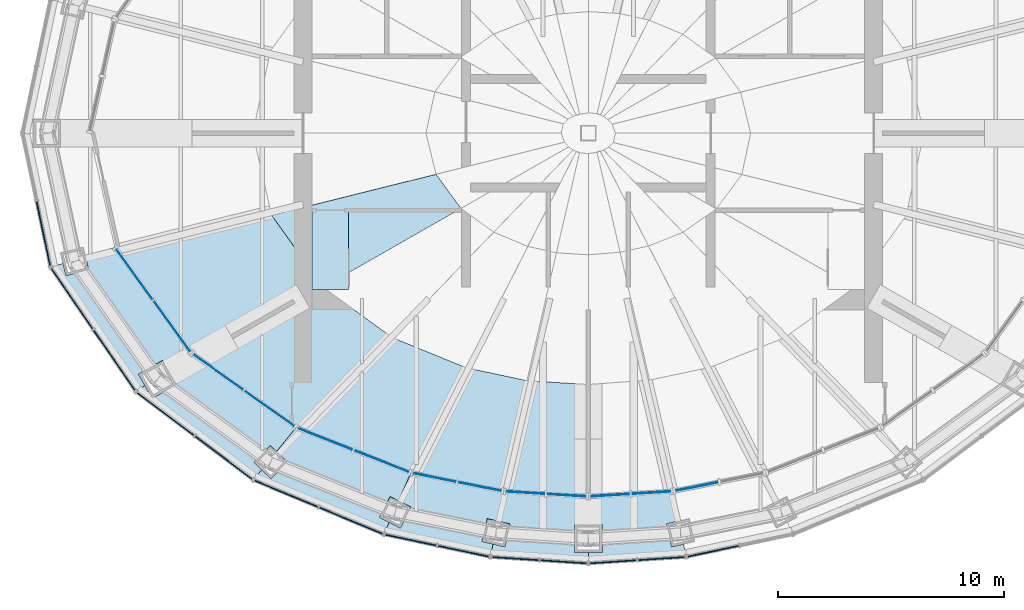
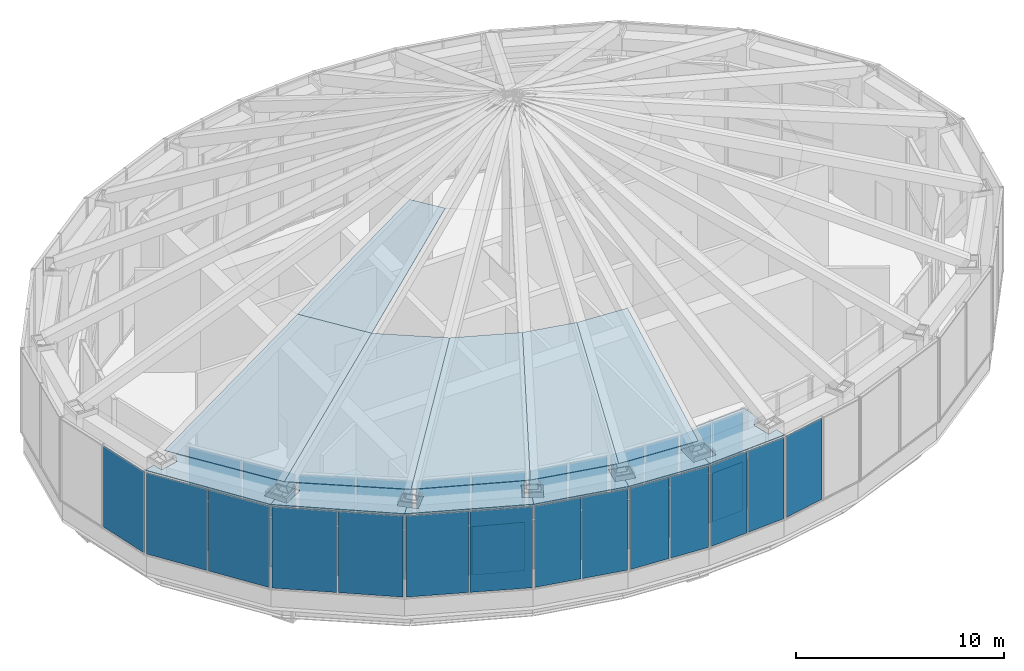
# One storey, part 14 of 21: 51 plates, 1 slab, 15 elements without a shape of their own.
"""IFC4 building model written with IfcOpenShell, lengths in metres."""

from ifc_helpers import new_model, si_unit, direction, frame, origin, origin_2d, place, context, subcontext, project, spatial, polyline, rectangle, outline, extrude, material, layer, layer_set, type_object, element, aggregate, save


model = new_model("IFC4")

# Units and contexts
model_context = context("Model", 3, precision=1e-05, world=origin(), true_north=direction((0.0, 1.0)))
body_context = subcontext(model_context, "Body", "Model", "MODEL_VIEW")
ifc_project = project(units=[si_unit("LENGTHUNIT", "METRE"), si_unit("AREAUNIT", "SQUARE_METRE"), si_unit("VOLUMEUNIT", "CUBIC_METRE"), si_unit("PLANEANGLEUNIT", "RADIAN"), si_unit("MASSUNIT", "GRAM", prefix="KILO")], contexts=[model_context])

# Site, building, storey
site_placement = place(None, origin())
site = spatial("IfcSite", under=ifc_project, at=site_placement, CompositionType="ELEMENT")
building_placement = place(site_placement, origin())
building = spatial("IfcBuilding", under=site, at=building_placement, Name="Lantaw Convention Tower", CompositionType="ELEMENT")
storey_placement = place(building_placement, frame((0.0, 0.0, 290.39990234375)))
storey = spatial("IfcBuildingStorey", under=building, at=storey_placement, Name="L67", CompositionType="ELEMENT", Elevation=290.39990234375)

# Curtain wall, plates
ifc_material_1 = material(Name="Aluminium framed curtain wall", Category="aluminium")
curtain_wall_type_1 = type_object("IfcCurtainWallType", Name="LANTERN glazing curtain wall, pale aluminium", PredefinedType="USERDEFINED", material=ifc_material_1)
curtain_wall_1_placement = place(storey_placement, origin())
curtain_wall_1 = element("IfcCurtainWall", 1, at=curtain_wall_1_placement, inside=storey, type_object=curtain_wall_type_1, Name="LANTERN glazing curtain wall, pale aluminium L67", ObjectType="LANTERN GLAZING", PredefinedType="USERDEFINED")
ifc_material_2 = material(Name="Low-iron laminated glass", Category="glass")
ifc_layer_1 = layer(ifc_material_2, 0.035888671875)
ifc_layer_set_1 = layer_set([ifc_layer_1], Name="CW-LN panel 36")
plate_type_1 = type_object("IfcPlateType", Name="CW-LN panel 36", PredefinedType="CURTAIN_PANEL", material=ifc_layer_set_1)
plate_1_placement = place(storey_placement, frame((-20.04638671875, -6.2255859375, 0.10009765625), z_axis=(0.0, 0.0, 1.0), x_axis=(0.586786346995, -0.809741800193, 0.0)))
plate_1 = element("IfcPlate", 2, at=plate_1_placement, type_object=plate_type_1, Name="CW-LN panel 1.1", PredefinedType="CURTAIN_PANEL", context=body_context, shape_type="SweptSolid", body=[
    extrude(rectangle(XDim=2.73876953125, YDim=0.035888671875, at=origin_2d()), origin(), (0.0, 0.0, 1.0), 2.85009765625),
])
plate_2_placement = place(storey_placement, frame((-20.04638671875, -6.2255859375, 3.050048828125), z_axis=(0.0, 0.0, 1.0), x_axis=(0.586786346995, -0.809741800193, 0.0)))
plate_2 = element("IfcPlate", 3, at=plate_2_placement, type_object=plate_type_1, Name="CW-LN panel 1.2", PredefinedType="CURTAIN_PANEL", context=body_context, shape_type="SweptSolid", body=[
    extrude(rectangle(XDim=2.73876953125, YDim=0.035888671875, at=origin_2d()), origin(), (0.0, 0.0, 1.0), 2.85009765625),
])
plate_3_placement = place(storey_placement, frame((-18.380615234375, -8.524169921875, 0.10009765625), z_axis=(0.0, 0.0, 1.0), x_axis=(0.586786346995, -0.809741800193, 0.0)))
plate_3 = element("IfcPlate", 4, at=plate_3_placement, type_object=plate_type_1, Name="CW-LN panel 2.1", PredefinedType="CURTAIN_PANEL", context=body_context, shape_type="SweptSolid", body=[
    extrude(rectangle(XDim=2.73876953125, YDim=0.035888671875, at=origin_2d()), origin(), (0.0, 0.0, 1.0), 2.85009765625),
])
plate_4_placement = place(storey_placement, frame((-18.380615234375, -8.524169921875, 3.050048828125), z_axis=(0.0, 0.0, 1.0), x_axis=(0.586786346995, -0.809741800193, 0.0)))
plate_4 = element("IfcPlate", 5, at=plate_4_placement, type_object=plate_type_1, Name="CW-LN panel 2.2", PredefinedType="CURTAIN_PANEL", context=body_context, shape_type="SweptSolid", body=[
    extrude(rectangle(XDim=2.73876953125, YDim=0.035888671875, at=origin_2d()), origin(), (0.0, 0.0, 1.0), 2.85009765625),
])
aggregate(curtain_wall_1, [plate_1, plate_2, plate_3, plate_4])

curtain_wall_2_placement = place(storey_placement, origin())
curtain_wall_2 = element("IfcCurtainWall", 6, at=curtain_wall_2_placement, inside=storey, type_object=curtain_wall_type_1, Name="LANTERN glazing curtain wall, pale aluminium L67", ObjectType="LANTERN GLAZING", PredefinedType="USERDEFINED")
plate_5_placement = place(storey_placement, frame((-16.344970703125, -10.549072265625, 0.10009765625), z_axis=(0.0, 0.0, 1.0), x_axis=(0.814841441337, -0.579683901346, 0.0)))
plate_5 = element("IfcPlate", 7, at=plate_5_placement, type_object=plate_type_1, Name="CW-LN panel 1.1", PredefinedType="CURTAIN_PANEL", context=body_context, shape_type="SweptSolid", body=[
    extrude(rectangle(XDim=2.680419921875, YDim=0.035888671875, at=origin_2d()), origin(), (0.0, 0.0, 1.0), 2.85009765625),
])
plate_6_placement = place(storey_placement, frame((-16.344970703125, -10.549072265625, 3.050048828125), z_axis=(0.0, 0.0, 1.0), x_axis=(0.814841441337, -0.579683901346, 0.0)))
plate_6 = element("IfcPlate", 8, at=plate_6_placement, type_object=plate_type_1, Name="CW-LN panel 1.2", PredefinedType="CURTAIN_PANEL", context=body_context, shape_type="SweptSolid", body=[
    extrude(rectangle(XDim=2.680419921875, YDim=0.035888671875, at=origin_2d()), origin(), (0.0, 0.0, 1.0), 2.85009765625),
])
plate_7_placement = place(storey_placement, frame((-14.079345703125, -12.16064453125, 0.10009765625), z_axis=(0.0, 0.0, 1.0), x_axis=(0.814841441337, -0.579683901346, 0.0)))
plate_7 = element("IfcPlate", 9, at=plate_7_placement, type_object=plate_type_1, Name="CW-LN panel 2.1", PredefinedType="CURTAIN_PANEL", context=body_context, shape_type="SweptSolid", body=[
    extrude(rectangle(XDim=2.680419921875, YDim=0.035888671875, at=origin_2d()), origin(), (0.0, 0.0, 1.0), 2.85009765625),
])
plate_8_placement = place(storey_placement, frame((-14.079345703125, -12.16064453125, 3.050048828125), z_axis=(0.0, 0.0, 1.0), x_axis=(0.814841441337, -0.579683901346, 0.0)))
plate_8 = element("IfcPlate", 10, at=plate_8_placement, type_object=plate_type_1, Name="CW-LN panel 2.2", PredefinedType="CURTAIN_PANEL", context=body_context, shape_type="SweptSolid", body=[
    extrude(rectangle(XDim=2.680419921875, YDim=0.035888671875, at=origin_2d()), origin(), (0.0, 0.0, 1.0), 2.85009765625),
])
aggregate(curtain_wall_2, [plate_5, plate_6, plate_7, plate_8])

curtain_wall_3_placement = place(storey_placement, origin())
curtain_wall_3 = element("IfcCurtainWall", 11, at=curtain_wall_3_placement, inside=storey, type_object=curtain_wall_type_1, Name="LANTERN glazing curtain wall, pale aluminium L67", ObjectType="LANTERN GLAZING", PredefinedType="USERDEFINED")
plate_9_placement = place(storey_placement, frame((-11.615234375, -13.50439453125, 0.10009765625), z_axis=(0.0, 0.0, 1.0), x_axis=(0.930299050885, -0.366801957358, 0.0)))
plate_9 = element("IfcPlate", 12, at=plate_9_placement, type_object=plate_type_1, Name="CW-LN panel 1.1", PredefinedType="CURTAIN_PANEL", context=body_context, shape_type="SweptSolid", body=[
    extrude(rectangle(XDim=2.574462890625, YDim=0.035888671875, at=origin_2d()), origin(), (0.0, 0.0, 1.0), 2.85009765625),
])
plate_10_placement = place(storey_placement, frame((-11.615234375, -13.50439453125, 3.050048828125), z_axis=(0.0, 0.0, 1.0), x_axis=(0.930299050885, -0.366801957358, 0.0)))
plate_10 = element("IfcPlate", 13, at=plate_10_placement, type_object=plate_type_1, Name="CW-LN panel 1.2", PredefinedType="CURTAIN_PANEL", context=body_context, shape_type="SweptSolid", body=[
    extrude(rectangle(XDim=2.574462890625, YDim=0.035888671875, at=origin_2d()), origin(), (0.0, 0.0, 1.0), 2.85009765625),
])
plate_11_placement = place(storey_placement, frame((-9.127197265625, -14.4853515625, 0.10009765625), z_axis=(0.0, 0.0, 1.0), x_axis=(0.930299050885, -0.366801957358, 0.0)))
plate_11 = element("IfcPlate", 14, at=plate_11_placement, type_object=plate_type_1, Name="CW-LN panel 2.1", PredefinedType="CURTAIN_PANEL", context=body_context, shape_type="SweptSolid", body=[
    extrude(rectangle(XDim=2.574462890625, YDim=0.035888671875, at=origin_2d()), origin(), (0.0, 0.0, 1.0), 2.85009765625),
])
plate_12_placement = place(storey_placement, frame((-9.127197265625, -14.4853515625, 3.050048828125), z_axis=(0.0, 0.0, 1.0), x_axis=(0.930299050885, -0.366801957358, 0.0)))
plate_12 = element("IfcPlate", 15, at=plate_12_placement, type_object=plate_type_1, Name="CW-LN panel 2.2", PredefinedType="CURTAIN_PANEL", context=body_context, shape_type="SweptSolid", body=[
    extrude(rectangle(XDim=2.574462890625, YDim=0.035888671875, at=origin_2d()), origin(), (0.0, 0.0, 1.0), 2.85009765625),
])
aggregate(curtain_wall_3, [plate_9, plate_10, plate_11, plate_12])

curtain_wall_4_placement = place(storey_placement, origin())
curtain_wall_4 = element("IfcCurtainWall", 16, at=curtain_wall_4_placement, inside=storey, type_object=curtain_wall_type_1, Name="LANTERN glazing curtain wall, pale aluminium L67", ObjectType="LANTERN GLAZING", PredefinedType="USERDEFINED")
plate_13_placement = place(storey_placement, frame((-6.789306640625, -15.2041015625, 0.10009765625), z_axis=(0.0, 0.0, 1.0), x_axis=(0.980530423622, -0.196367228305, 0.0)))
plate_13 = element("IfcPlate", 17, at=plate_13_placement, type_object=plate_type_1, Name="CW-LN panel 1.1", PredefinedType="CURTAIN_PANEL", context=body_context, shape_type="SweptSolid", body=[
    extrude(rectangle(XDim=1.936279296875, YDim=0.035888671875, at=origin_2d()), origin(), (0.0, 0.0, 1.0), 2.85009765625),
])
plate_14_placement = place(storey_placement, frame((-6.789306640625, -15.2041015625, 3.050048828125), z_axis=(0.0, 0.0, 1.0), x_axis=(0.980530423622, -0.196367228305, 0.0)))
plate_14 = element("IfcPlate", 18, at=plate_14_placement, type_object=plate_type_1, Name="CW-LN panel 1.2", PredefinedType="CURTAIN_PANEL", context=body_context, shape_type="SweptSolid", body=[
    extrude(rectangle(XDim=1.936279296875, YDim=0.035888671875, at=origin_2d()), origin(), (0.0, 0.0, 1.0), 2.85009765625),
])
plate_15_placement = place(storey_placement, frame((-4.792724609375, -15.60400390625, 0.10009765625), z_axis=(0.0, 0.0, 1.0), x_axis=(0.980530423622, -0.196367228305, 0.0)))
plate_15 = element("IfcPlate", 19, at=plate_15_placement, type_object=plate_type_1, Name="CW-LN panel 2.1", PredefinedType="CURTAIN_PANEL", context=body_context, shape_type="SweptSolid", body=[
    extrude(rectangle(XDim=1.936279296875, YDim=0.035888671875, at=origin_2d()), origin(), (0.0, 0.0, 1.0), 2.85009765625),
])
plate_16_placement = place(storey_placement, frame((-4.792724609375, -15.60400390625, 3.050048828125), z_axis=(0.0, 0.0, 1.0), x_axis=(0.980530423622, -0.196367228305, 0.0)))
plate_16 = element("IfcPlate", 20, at=plate_16_placement, type_object=plate_type_1, Name="CW-LN panel 2.2", PredefinedType="CURTAIN_PANEL", context=body_context, shape_type="SweptSolid", body=[
    extrude(rectangle(XDim=1.936279296875, YDim=0.035888671875, at=origin_2d()), origin(), (0.0, 0.0, 1.0), 2.85009765625),
])
aggregate(curtain_wall_4, [plate_13, plate_14, plate_15, plate_16])

curtain_wall_5_placement = place(storey_placement, origin())
curtain_wall_5 = element("IfcCurtainWall", 21, at=curtain_wall_5_placement, inside=storey, type_object=curtain_wall_type_1, Name="LANTERN glazing curtain wall, pale aluminium L67", ObjectType="LANTERN GLAZING", PredefinedType="USERDEFINED")
plate_17_placement = place(storey_placement, frame((-2.783935546875, -15.873779296875, 0.10009765625), z_axis=(0.0, 0.0, 1.0), x_axis=(0.998045676091, -0.062488626454, 0.0)))
plate_17 = element("IfcPlate", 22, at=plate_17_placement, type_object=plate_type_1, Name="CW-LN panel 1.1", PredefinedType="CURTAIN_PANEL", context=body_context, shape_type="SweptSolid", body=[
    extrude(rectangle(XDim=1.726318359375, YDim=0.035888671875, at=origin_2d()), origin(), (0.0, 0.0, 1.0), 2.85009765625),
])
plate_18_placement = place(storey_placement, frame((-2.783935546875, -15.873779296875, 3.050048828125), z_axis=(0.0, 0.0, 1.0), x_axis=(0.998045676091, -0.062488626454, 0.0)))
plate_18 = element("IfcPlate", 23, at=plate_18_placement, type_object=plate_type_1, Name="CW-LN panel 1.2", PredefinedType="CURTAIN_PANEL", context=body_context, shape_type="SweptSolid", body=[
    extrude(rectangle(XDim=1.726318359375, YDim=0.035888671875, at=origin_2d()), origin(), (0.0, 0.0, 1.0), 2.85009765625),
])
plate_19_placement = place(storey_placement, frame((-0.961181640625, -15.988037109375, 0.10009765625), z_axis=(0.0, 0.0, 1.0), x_axis=(0.998045676091, -0.062488626454, 0.0)))
plate_19 = element("IfcPlate", 24, at=plate_19_placement, type_object=plate_type_1, Name="CW-LN panel 2.1", PredefinedType="CURTAIN_PANEL", context=body_context, shape_type="SweptSolid", body=[
    extrude(rectangle(XDim=1.726318359375, YDim=0.035888671875, at=origin_2d()), origin(), (0.0, 0.0, 1.0), 2.85009765625),
])
plate_20_placement = place(storey_placement, frame((-0.961181640625, -15.988037109375, 3.050048828125), z_axis=(0.0, 0.0, 1.0), x_axis=(0.998045676091, -0.062488626454, 0.0)))
plate_20 = element("IfcPlate", 25, at=plate_20_placement, type_object=plate_type_1, Name="CW-LN panel 2.2", PredefinedType="CURTAIN_PANEL", context=body_context, shape_type="SweptSolid", body=[
    extrude(rectangle(XDim=1.726318359375, YDim=0.035888671875, at=origin_2d()), origin(), (0.0, 0.0, 1.0), 2.85009765625),
])
aggregate(curtain_wall_5, [plate_17, plate_18, plate_19, plate_20])

curtain_wall_6_placement = place(storey_placement, origin())
curtain_wall_6 = element("IfcCurtainWall", 26, at=curtain_wall_6_placement, inside=storey, type_object=curtain_wall_type_1, Name="LANTERN glazing curtain wall, pale aluminium L67", ObjectType="LANTERN GLAZING", PredefinedType="USERDEFINED")
plate_21_placement = place(storey_placement, frame((0.961181640625, -15.988037109375, 0.10009765625), z_axis=(0.0, 0.0, 1.0), x_axis=(0.998045676091, 0.062488626454, 0.0)))
plate_21 = element("IfcPlate", 27, at=plate_21_placement, type_object=plate_type_1, Name="CW-LN panel 1.1", PredefinedType="CURTAIN_PANEL", context=body_context, shape_type="SweptSolid", body=[
    extrude(rectangle(XDim=1.726318359375, YDim=0.035888671875, at=origin_2d()), origin(), (0.0, 0.0, 1.0), 2.85009765625),
])
plate_22_placement = place(storey_placement, frame((0.961181640625, -15.988037109375, 3.050048828125), z_axis=(0.0, 0.0, 1.0), x_axis=(0.998045676091, 0.062488626454, 0.0)))
plate_22 = element("IfcPlate", 28, at=plate_22_placement, type_object=plate_type_1, Name="CW-LN panel 1.2", PredefinedType="CURTAIN_PANEL", context=body_context, shape_type="SweptSolid", body=[
    extrude(rectangle(XDim=1.726318359375, YDim=0.035888671875, at=origin_2d()), origin(), (0.0, 0.0, 1.0), 2.85009765625),
])
plate_23_placement = place(storey_placement, frame((2.783935546875, -15.873779296875, 0.10009765625), z_axis=(0.0, 0.0, 1.0), x_axis=(0.998045676091, 0.062488626454, 0.0)))
plate_23 = element("IfcPlate", 29, at=plate_23_placement, type_object=plate_type_1, Name="CW-LN panel 2.1", PredefinedType="CURTAIN_PANEL", context=body_context, shape_type="SweptSolid", body=[
    extrude(rectangle(XDim=1.726318359375, YDim=0.035888671875, at=origin_2d()), origin(), (0.0, 0.0, 1.0), 2.85009765625),
])
plate_24_placement = place(storey_placement, frame((2.783935546875, -15.873779296875, 3.050048828125), z_axis=(0.0, 0.0, 1.0), x_axis=(0.998045676091, 0.062488626454, 0.0)))
plate_24 = element("IfcPlate", 30, at=plate_24_placement, type_object=plate_type_1, Name="CW-LN panel 2.2", PredefinedType="CURTAIN_PANEL", context=body_context, shape_type="SweptSolid", body=[
    extrude(rectangle(XDim=1.726318359375, YDim=0.035888671875, at=origin_2d()), origin(), (0.0, 0.0, 1.0), 2.85009765625),
])
aggregate(curtain_wall_6, [plate_21, plate_22, plate_23, plate_24])

# Curtain wall, plate
curtain_wall_7_placement = place(storey_placement, origin())
curtain_wall_7 = element("IfcCurtainWall", 31, at=curtain_wall_7_placement, inside=storey, type_object=curtain_wall_type_1, Name="LANTERN glazing curtain wall, pale aluminium L67", ObjectType="LANTERN GLAZING", PredefinedType="USERDEFINED")
plate_25_placement = place(storey_placement, frame((4.792724609375, -15.60400390625, 0.10009765625), z_axis=(0.0, 0.0, 1.0), x_axis=(0.980530423622, 0.196367228305, 0.0)))
plate_25 = element("IfcPlate", 32, at=plate_25_placement, type_object=plate_type_1, Name="CW-LN panel 1.1", PredefinedType="CURTAIN_PANEL", context=body_context, shape_type="SweptSolid", body=[
    extrude(rectangle(XDim=1.936279296875, YDim=0.035888671875, at=origin_2d()), origin(), (0.0, 0.0, 1.0), 2.85009765625),
])
aggregate(curtain_wall_7, [plate_25])

curtain_wall_type_2 = type_object("IfcCurtainWallType", Name="Plant floor louvre wall, pale aluminium", PredefinedType="USERDEFINED", material=ifc_material_1)
curtain_wall_8_placement = place(storey_placement, origin())
curtain_wall_8 = element("IfcCurtainWall", 33, at=curtain_wall_8_placement, inside=storey, type_object=curtain_wall_type_2, Name="Plant floor louvre wall, pale aluminium L67", ObjectType="LOUVRE WALL", PredefinedType="USERDEFINED")
ifc_material_3 = material(Name="Aluminium louvre blades", Category="aluminium")
ifc_layer_2 = layer(ifc_material_3, 0.050048828125)
ifc_layer_set_2 = layer_set([ifc_layer_2], Name="CW-LV panel 50")
plate_type_2 = type_object("IfcPlateType", Name="CW-LV panel 50", PredefinedType="CURTAIN_PANEL", material=ifc_layer_set_2)
plate_26_placement = place(storey_placement, frame((-24.0693359375, -4.4248046875, 1.169921875), z_axis=(0.0, 0.0, 1.0), x_axis=(0.205814054946, -0.978591117263, 0.0)))
plate_26 = element("IfcPlate", 34, at=plate_26_placement, type_object=plate_type_2, Name="CW-LV panel 2.1", PredefinedType="CURTAIN_PANEL", context=body_context, shape_type="SweptSolid", body=[
    extrude(rectangle(XDim=2.921142578125, YDim=0.050048828125, at=origin_2d()), origin(), (0.0, 0.0, 1.0), 4.760009765625),
])
aggregate(curtain_wall_8, [plate_26])

# Curtain wall, plates
curtain_wall_9_placement = place(storey_placement, origin())
curtain_wall_9 = element("IfcCurtainWall", 35, at=curtain_wall_9_placement, inside=storey, type_object=curtain_wall_type_2, Name="Plant floor louvre wall, pale aluminium L67", ObjectType="LOUVRE WALL", PredefinedType="USERDEFINED")
plate_27_placement = place(storey_placement, frame((-22.80126953125, -7.31103515625, 1.169921875), z_axis=(0.0, 0.0, 1.0), x_axis=(0.565934832921, -0.824449977189, 0.0)))
plate_27 = element("IfcPlate", 36, at=plate_27_placement, type_object=plate_type_2, Name="CW-LV panel 1.1", PredefinedType="CURTAIN_PANEL", context=body_context, shape_type="SweptSolid", body=[
    extrude(rectangle(XDim=3.22802734375, YDim=0.050048828125, at=origin_2d()), origin(), (0.0, 0.0, 1.0), 4.760009765625),
])
plate_28_placement = place(storey_placement, frame((-20.93505859375, -10.030029296875, 1.169921875), z_axis=(0.0, 0.0, 1.0), x_axis=(0.565934832921, -0.824449977189, 0.0)))
plate_28 = element("IfcPlate", 37, at=plate_28_placement, type_object=plate_type_2, Name="CW-LV panel 2.1", PredefinedType="CURTAIN_PANEL", context=body_context, shape_type="SweptSolid", body=[
    extrude(rectangle(XDim=3.22802734375, YDim=0.050048828125, at=origin_2d()), origin(), (0.0, 0.0, 1.0), 4.760009765625),
])
aggregate(curtain_wall_9, [plate_27, plate_28])

curtain_wall_10_placement = place(storey_placement, origin())
curtain_wall_10 = element("IfcCurtainWall", 38, at=curtain_wall_10_placement, inside=storey, type_object=curtain_wall_type_2, Name="Plant floor louvre wall, pale aluminium L67", ObjectType="LOUVRE WALL", PredefinedType="USERDEFINED")
plate_29_placement = place(storey_placement, frame((-18.67041015625, -12.403564453125, 1.169921875), z_axis=(0.0, 0.0, 1.0), x_axis=(0.799517528732, -0.600642756762, 0.0)))
plate_29 = element("IfcPlate", 39, at=plate_29_placement, type_object=plate_type_2, Name="CW-LV panel 1.1", PredefinedType="CURTAIN_PANEL", context=body_context, shape_type="SweptSolid", body=[
    extrude(rectangle(XDim=3.140869140625, YDim=0.050048828125, at=origin_2d()), origin(), (0.0, 0.0, 1.0), 4.760009765625),
])
plate_30_placement = place(storey_placement, frame((-16.103271484375, -14.33203125, 1.169921875), z_axis=(0.0, 0.0, 1.0), x_axis=(0.799517528732, -0.600642756762, 0.0)))
plate_30 = element("IfcPlate", 40, at=plate_30_placement, type_object=plate_type_2, Name="CW-LV panel 2.1", PredefinedType="CURTAIN_PANEL", context=body_context, shape_type="SweptSolid", body=[
    extrude(rectangle(XDim=3.140869140625, YDim=0.050048828125, at=origin_2d()), origin(), (0.0, 0.0, 1.0), 4.760009765625),
])
aggregate(curtain_wall_10, [plate_29, plate_30])

curtain_wall_11_placement = place(storey_placement, origin())
curtain_wall_11 = element("IfcCurtainWall", 41, at=curtain_wall_11_placement, inside=storey, type_object=curtain_wall_type_2, Name="Plant floor louvre wall, pale aluminium L67", ObjectType="LOUVRE WALL", PredefinedType="USERDEFINED")
plate_31_placement = place(storey_placement, frame((-13.334716796875, -15.92431640625, 1.169921875), z_axis=(0.0, 0.0, 1.0), x_axis=(0.923141777124, -0.384459697924, 0.0)))
plate_31 = element("IfcPlate", 42, at=plate_31_placement, type_object=plate_type_2, Name="CW-LV panel 1.1", PredefinedType="CURTAIN_PANEL", context=body_context, shape_type="SweptSolid", body=[
    extrude(rectangle(XDim=3.01708984375, YDim=0.050048828125, at=origin_2d()), origin(), (0.0, 0.0, 1.0), 4.760009765625),
])
plate_32_placement = place(storey_placement, frame((-10.48486328125, -17.111083984375, 1.169921875), z_axis=(0.0, 0.0, 1.0), x_axis=(0.923141777124, -0.384459697924, 0.0)))
plate_32 = element("IfcPlate", 43, at=plate_32_placement, type_object=plate_type_2, Name="CW-LV panel 2.1", PredefinedType="CURTAIN_PANEL", context=body_context, shape_type="SweptSolid", body=[
    extrude(rectangle(XDim=3.01708984375, YDim=0.050048828125, at=origin_2d()), origin(), (0.0, 0.0, 1.0), 4.760009765625),
])
aggregate(curtain_wall_11, [plate_31, plate_32])

curtain_wall_12_placement = place(storey_placement, origin())
curtain_wall_12 = element("IfcCurtainWall", 44, at=curtain_wall_12_placement, inside=storey, type_object=curtain_wall_type_2, Name="Plant floor louvre wall, pale aluminium L67", ObjectType="LOUVRE WALL", PredefinedType="USERDEFINED")
plate_33_placement = place(storey_placement, frame((-7.833740234375, -17.970703125, 1.169921875), z_axis=(0.0, 0.0, 1.0), x_axis=(0.978332497083, -0.207039911975, 0.0)))
plate_33 = element("IfcPlate", 45, at=plate_33_placement, type_object=plate_type_2, Name="CW-LV panel 1.1", PredefinedType="CURTAIN_PANEL", context=body_context, shape_type="SweptSolid", body=[
    extrude(rectangle(XDim=2.30078125, YDim=0.050048828125, at=origin_2d()), origin(), (0.0, 0.0, 1.0), 4.760009765625),
])
plate_34_placement = place(storey_placement, frame((-5.514404296875, -18.46142578125, 1.169921875), z_axis=(0.0, 0.0, 1.0), x_axis=(0.978332497083, -0.207039911975, 0.0)))
plate_34 = element("IfcPlate", 46, at=plate_34_placement, type_object=plate_type_2, Name="CW-LV panel 2.1", PredefinedType="CURTAIN_PANEL", context=body_context, shape_type="SweptSolid", body=[
    extrude(rectangle(XDim=2.30078125, YDim=0.050048828125, at=origin_2d()), origin(), (0.0, 0.0, 1.0), 4.760009765625),
])
aggregate(curtain_wall_12, [plate_33, plate_34])

curtain_wall_13_placement = place(storey_placement, origin())
curtain_wall_13 = element("IfcCurtainWall", 47, at=curtain_wall_13_placement, inside=storey, type_object=curtain_wall_type_2, Name="Plant floor louvre wall, pale aluminium L67", ObjectType="LOUVRE WALL", PredefinedType="USERDEFINED")
plate_35_placement = place(storey_placement, frame((-3.222900390625, -18.78662109375, 1.169921875), z_axis=(0.0, 0.0, 1.0), x_axis=(0.997817975525, -0.066024902273, 0.0)))
plate_35 = element("IfcPlate", 48, at=plate_35_placement, type_object=plate_type_2, Name="CW-LV panel 1.1", PredefinedType="CURTAIN_PANEL", context=body_context, shape_type="SweptSolid", body=[
    extrude(rectangle(XDim=2.06005859375, YDim=0.050048828125, at=origin_2d()), origin(), (0.0, 0.0, 1.0), 4.760009765625),
])
plate_36_placement = place(storey_placement, frame((-1.09765625, -18.927490234375, 1.169921875), z_axis=(0.0, 0.0, 1.0), x_axis=(0.997817975525, -0.066024902273, 0.0)))
plate_36 = element("IfcPlate", 49, at=plate_36_placement, type_object=plate_type_2, Name="CW-LV panel 2.1", PredefinedType="CURTAIN_PANEL", context=body_context, shape_type="SweptSolid", body=[
    extrude(rectangle(XDim=2.06005859375, YDim=0.050048828125, at=origin_2d()), origin(), (0.0, 0.0, 1.0), 4.760009765625),
])
aggregate(curtain_wall_13, [plate_35, plate_36])

curtain_wall_14_placement = place(storey_placement, origin())
curtain_wall_14 = element("IfcCurtainWall", 50, at=curtain_wall_14_placement, inside=storey, type_object=curtain_wall_type_2, Name="Plant floor louvre wall, pale aluminium L67", ObjectType="LOUVRE WALL", PredefinedType="USERDEFINED")
plate_37_placement = place(storey_placement, frame((1.09765625, -18.927490234375, 1.169921875), z_axis=(0.0, 0.0, 1.0), x_axis=(0.997817975525, 0.066024902273, 0.0)))
plate_37 = element("IfcPlate", 51, at=plate_37_placement, type_object=plate_type_2, Name="CW-LV panel 1.1", PredefinedType="CURTAIN_PANEL", context=body_context, shape_type="SweptSolid", body=[
    extrude(rectangle(XDim=2.06005859375, YDim=0.050048828125, at=origin_2d()), origin(), (0.0, 0.0, 1.0), 4.760009765625),
])
plate_38_placement = place(storey_placement, frame((3.222900390625, -18.78662109375, 1.169921875), z_axis=(0.0, 0.0, 1.0), x_axis=(0.997817975525, 0.066024902273, 0.0)))
plate_38 = element("IfcPlate", 52, at=plate_38_placement, type_object=plate_type_2, Name="CW-LV panel 2.1", PredefinedType="CURTAIN_PANEL", context=body_context, shape_type="SweptSolid", body=[
    extrude(rectangle(XDim=2.06005859375, YDim=0.050048828125, at=origin_2d()), origin(), (0.0, 0.0, 1.0), 4.760009765625),
])
aggregate(curtain_wall_14, [plate_37, plate_38])

# Curtain wall, plate
curtain_wall_15_placement = place(storey_placement, origin())
curtain_wall_15 = element("IfcCurtainWall", 53, at=curtain_wall_15_placement, inside=storey, type_object=curtain_wall_type_2, Name="Plant floor louvre wall, pale aluminium L67", ObjectType="LOUVRE WALL", PredefinedType="USERDEFINED")
plate_39_placement = place(storey_placement, frame((5.514404296875, -18.46142578125, 1.169921875), z_axis=(0.0, 0.0, 1.0), x_axis=(0.978332497083, 0.207039911975, 0.0)))
plate_39 = element("IfcPlate", 54, at=plate_39_placement, type_object=plate_type_2, Name="CW-LV panel 1.1", PredefinedType="CURTAIN_PANEL", context=body_context, shape_type="SweptSolid", body=[
    extrude(rectangle(XDim=2.30078125, YDim=0.050048828125, at=origin_2d()), origin(), (0.0, 0.0, 1.0), 4.760009765625),
])
aggregate(curtain_wall_15, [plate_39])

# Plates
ifc_material_4 = material(Name="Aluminium composite panel, pale silver", Category="aluminium")
ifc_layer_3 = layer(ifc_material_4, 0.050048828125)
ifc_layer_set_3 = layer_set([ifc_layer_3], Name="LANTERN eaves panel 50")
plate_type_3 = type_object("IfcPlateType", Name="LANTERN eaves panel 50", PredefinedType="SHEET", material=ifc_layer_set_3)
plate_40_placement = place(storey_placement, frame((0.0, 0.0, 6.0)))
element("IfcPlate", 55, at=plate_40_placement, inside=storey, type_object=plate_type_3, Name="LANTERN eaves panel", PredefinedType="SHEET", context=body_context, shape_type="SweptSolid", body=[
    extrude(outline(polyline([(-20.90869140625, -5.03564453125), (-22.205078125, -5.439697265625), (-22.056640625, -6.03515625), (-23.06591796875, -6.286865234375), (-23.19970703125, -5.749755859375), (-23.75439453125, -5.922607421875), (-19.98193359375, -11.418212890625), (-19.585693359375, -11.144287109375), (-19.872802734375, -10.641845703125), (-18.796142578125, -10.026611328125), (-18.562255859375, -10.43603515625), (-17.518310546875, -9.714111328125), (-20.90869140625, -5.03564453125)])), origin(), (0.0, 0.0, 1.0), 0.050048828125),
])
plate_41_placement = place(storey_placement, frame((0.0, 0.0, 6.0)))
element("IfcPlate", 56, at=plate_41_placement, inside=storey, type_object=plate_type_3, Name="LANTERN eaves panel", PredefinedType="SHEET", context=body_context, shape_type="SweptSolid", body=[
    extrude(outline(polyline([(-17.518310546875, -9.714111328125), (-18.562255859375, -10.43603515625), (-18.180908203125, -11.103271484375), (-19.257568359375, -11.718505859375), (-19.585693359375, -11.144287109375), (-19.98193359375, -11.418212890625), (-14.791748046875, -15.3173828125), (-14.4248046875, -14.865478515625), (-14.762939453125, -14.5390625), (-14.04052734375, -13.790771484375), (-13.7666015625, -14.055419921875), (-12.90576171875, -12.99560546875), (-17.518310546875, -9.714111328125)])), origin(), (0.0, 0.0, 1.0), 0.050048828125),
])
plate_42_placement = place(storey_placement, frame((0.0, 0.0, 6.0)))
element("IfcPlate", 57, at=plate_42_placement, inside=storey, type_object=plate_type_3, Name="LANTERN eaves panel", PredefinedType="SHEET", context=body_context, shape_type="SweptSolid", body=[
    extrude(outline(polyline([(-12.90576171875, -12.99560546875), (-13.7666015625, -14.055419921875), (-13.29248046875, -14.51318359375), (-14.014892578125, -15.261474609375), (-14.4248046875, -14.865478515625), (-14.791748046875, -15.3173828125), (-9.02783203125, -17.718017578125), (-8.794921875, -17.185546875), (-9.227783203125, -16.965087890625), (-8.755615234375, -16.038330078125), (-8.37744140625, -16.231201171875), (-7.83642578125, -14.994384765625), (-12.90576171875, -12.99560546875)])), origin(), (0.0, 0.0, 1.0), 0.050048828125),
])
plate_43_placement = place(storey_placement, frame((0.0, 0.0, 6.0)))
element("IfcPlate", 58, at=plate_43_placement, inside=storey, type_object=plate_type_3, Name="LANTERN eaves panel", PredefinedType="SHEET", context=body_context, shape_type="SweptSolid", body=[
    extrude(outline(polyline([(-7.83642578125, -14.994384765625), (-8.37744140625, -16.231201171875), (-7.828857421875, -16.510498046875), (-8.301025390625, -17.437255859375), (-8.794921875, -17.185546875), (-9.02783203125, -17.718017578125), (-4.320556640625, -18.714111328125), (-4.20751953125, -18.14501953125), (-4.69677734375, -18.031982421875), (-4.462646484375, -17.0185546875), (-4.005126953125, -17.124267578125), (-3.745361328125, -15.813720703125), (-7.83642578125, -14.994384765625)])), origin(), (0.0, 0.0, 1.0), 0.050048828125),
])
plate_44_placement = place(storey_placement, frame((0.0, 0.0, 6.0)))
element("IfcPlate", 59, at=plate_44_placement, inside=storey, type_object=plate_type_3, Name="LANTERN eaves panel", PredefinedType="SHEET", context=body_context, shape_type="SweptSolid", body=[
    extrude(outline(polyline([(-3.745361328125, -15.813720703125), (-4.005126953125, -17.124267578125), (-3.449462890625, -17.252685546875), (-3.683349609375, -18.265869140625), (-4.20751953125, -18.14501953125), (-4.320556640625, -18.714111328125), (0.0, -19.0), (0.0, -18.52001953125), (-0.6201171875, -18.52001953125), (-0.6201171875, -17.280029296875), (0.0, -17.280029296875), (0.0, -16.048095703125), (-3.745361328125, -15.813720703125)])), origin(), (0.0, 0.0, 1.0), 0.050048828125),
])
plate_45_placement = place(storey_placement, frame((0.0, 0.0, 6.0)))
element("IfcPlate", 60, at=plate_45_placement, inside=storey, type_object=plate_type_3, Name="LANTERN eaves panel", PredefinedType="SHEET", context=body_context, shape_type="SweptSolid", body=[
    extrude(outline(polyline([(0.0, -16.048095703125), (0.0, -17.280029296875), (0.6201171875, -17.280029296875), (0.6201171875, -18.52001953125), (0.0, -18.52001953125), (0.0, -19.0), (4.320556640625, -18.714111328125), (4.20751953125, -18.14501953125), (3.683349609375, -18.265869140625), (3.449462890625, -17.252685546875), (4.005126953125, -17.124267578125), (3.745361328125, -15.813720703125), (0.0, -16.048095703125)])), origin(), (0.0, 0.0, 1.0), 0.050048828125),
])
ifc_layer_4 = layer(ifc_material_2, 0.035888671875)
ifc_layer_set_4 = layer_set([ifc_layer_4], Name="LANTERN roof glass 36")
plate_type_4 = type_object("IfcPlateType", Name="LANTERN roof glass 36", PredefinedType="SHEET", material=ifc_layer_set_4)
plate_46_placement = place(storey_placement, frame((-22.6044921875, -5.774169921875, 6.711669921875), z_axis=(-0.331220904115, -0.232387040705, 0.914488368428), x_axis=(0.578845036805, -0.815433921729, 0.002437757054)))
element("IfcPlate", 61, at=plate_46_placement, inside=storey, type_object=plate_type_4, Name="LANTERN roof glass", PredefinedType="SHEET", context=body_context, shape_type="SweptSolid", body=[
    extrude(outline(polyline([(0.0, 0.0), (6.329922818423803, -9.237402509576498e-16), (7.155005748798553, 9.06227372801958), (3.246316512229295, 9.047932649202917), (0.0, 0.0)])), origin(), (0.0, 0.0, -1.0), 0.035888671875),
])
plate_47_placement = place(storey_placement, frame((-13.9833984375, -3.62451171875, 10.38037109375), z_axis=(-0.331220752758, -0.232409378145, 0.914482746635), x_axis=(0.581581094292, -0.813479057736, 0.003905558538)))
element("IfcPlate", 62, at=plate_47_placement, inside=storey, type_object=plate_type_4, Name="LANTERN roof glass", PredefinedType="SHEET", context=body_context, shape_type="SweptSolid", body=[
    extrude(outline(polyline([(0.0, 0.0), (3.9087155437233823, 2.6020852139652106e-18), (4.631513833882953, 7.628772994840367), (2.7617642893335246, 7.609125625411827), (0.0, 0.0)])), origin(), (0.0, 0.0, -1.0), 0.035888671875),
])
plate_48_placement = place(storey_placement, frame((-18.9404296875, -10.935791015625, 6.72705078125), z_axis=(-0.256460225059, -0.350908204243, 0.900606232022), x_axis=(0.808241443728, -0.588850786704, 0.00072085936)))
element("IfcPlate", 63, at=plate_48_placement, inside=storey, type_object=plate_type_4, Name="LANTERN roof glass", PredefinedType="SHEET", context=body_context, shape_type="SweptSolid", body=[
    extrude(outline(polyline([(0.0, 0.0), (6.120414165433092, -1.5851035761738075e-16), (7.180778302921249, 8.439072654318759), (3.41352071441164, 8.435250043623004), (0.0, 0.0)])), origin(), (0.0, 0.0, -1.0), 0.035888671875),
])
plate_49_placement = place(storey_placement, frame((-13.99365234375, -14.539794921875, 6.7314453125), z_axis=(-0.171061522087, -0.425439117054, 0.888672894456), x_axis=(0.926485720821, -0.376325518777, -0.001820173483)))
element("IfcPlate", 64, at=plate_49_placement, inside=storey, type_object=plate_type_4, Name="LANTERN roof glass", PredefinedType="SHEET", context=body_context, shape_type="SweptSolid", body=[
    extrude(outline(polyline([(0.0, 0.0), (5.782261667065518, 5.2909066017292616e-17), (6.384504659268447, 8.003313501249771), (2.85446558012766, 8.012137393996793), (0.0, 0.0)])), origin(), (0.0, 0.0, -1.0), 0.035888671875),
])
plate_50_placement = place(storey_placement, frame((-8.636474609375, -16.7158203125, 6.720947265625), z_axis=(-0.093688324854, -0.461205678051, 0.882333168548), x_axis=(0.978846613116, -0.204573528488, -0.002996570389)))
element("IfcPlate", 65, at=plate_50_placement, inside=storey, type_object=plate_type_4, Name="LANTERN roof glass", PredefinedType="SHEET", context=body_context, shape_type="SweptSolid", body=[
    extrude(outline(polyline([(0.0, 0.0), (4.471787780557971, -2.5153490401663703e-16), (4.604421806838632, 7.7963195626174855), (1.860017313256896, 7.807436148649806), (0.0, 0.0)])), origin(), (0.0, 0.0, -1.0), 0.035888671875),
])
plate_51_placement = place(storey_placement, frame((-4.25927734375, -17.630615234375, 6.70751953125), z_axis=(-0.029996793539, -0.474497755749, 0.879745458736), x_axis=(0.99800743671, -0.063096404543, -2.363549e-06)))
element("IfcPlate", 66, at=plate_51_placement, inside=storey, type_object=plate_type_4, Name="LANTERN roof glass", PredefinedType="SHEET", context=body_context, shape_type="SweptSolid", body=[
    extrude(outline(polyline([(0.0, 0.0), (4.267781512463604, 5.551115123125783e-17), (3.8385909743727, 7.71637183789863), (1.121753994858845, 7.71633711570797), (0.0, 0.0)])), origin(), (0.0, 0.0, -1.0), 0.035888671875),
])

# Slab
ifc_material_5 = material(Name="Concrete C35/45", Category="concrete")
ifc_layer_5 = layer(ifc_material_5, 0.199951171875)
ifc_layer_set_5 = layer_set([ifc_layer_5], Name="Stair landing 200")
slab_type = type_object("IfcSlabType", Name="Stair landing 200", PredefinedType="LANDING", material=ifc_layer_set_5)
slab_placement = place(storey_placement, frame((0.0, 0.0, -0.199951171875)))
element("IfcSlab", 67, at=slab_placement, inside=storey, type_object=slab_type, Name="Exit stair S1 top landing", PredefinedType="LANDING", context=body_context, shape_type="SweptSolid", body=[
    extrude(outline(polyline([(-12.199951171875, -6.89990234375), (-10.580078125, -6.89990234375), (-10.580078125, -3.39990234375), (-12.199951171875, -3.39990234375), (-12.199951171875, -6.89990234375)])), origin(), (0.0, 0.0, 1.0), 0.199951171875),
])

save(model, "model.ifc")
